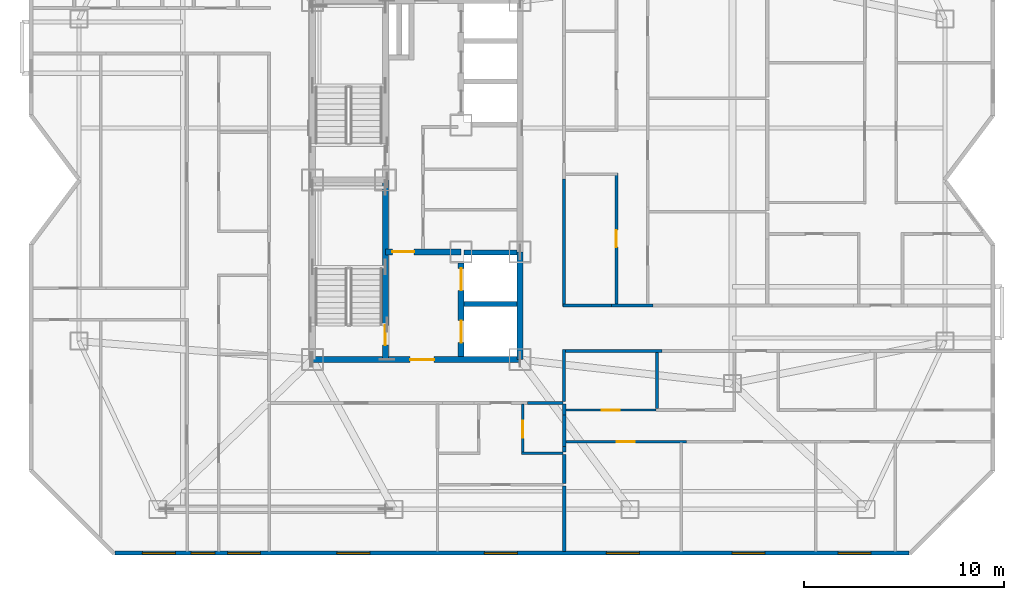
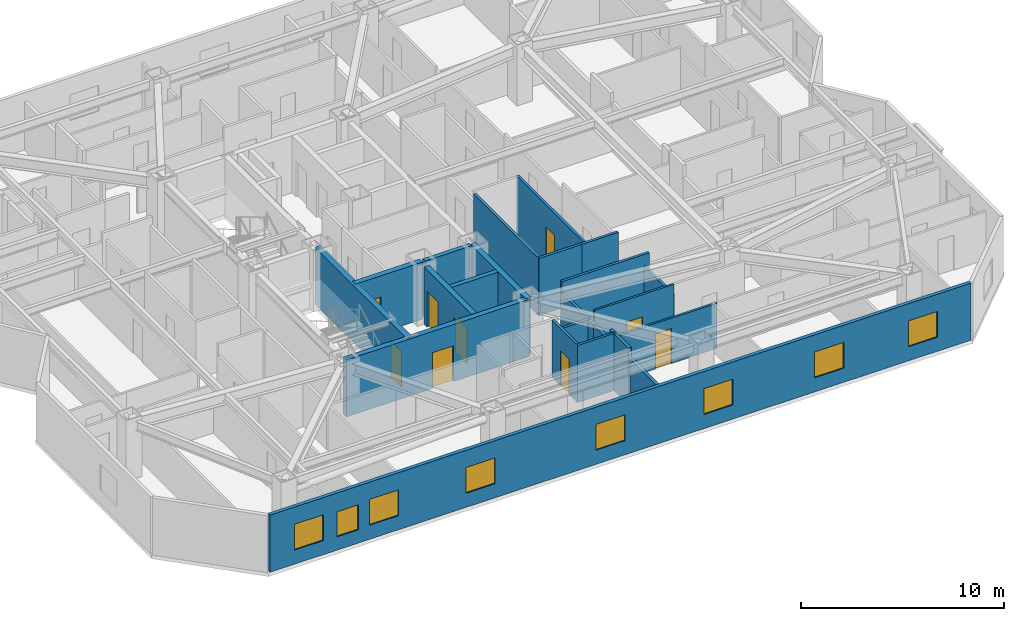
# One storey, part 6 of 12: 25 walls, 9 doors, 8 windows, 17 openings.
"""IFC4 building model written with IfcOpenShell, lengths in metres."""

from ifc_helpers import new_model, si_unit, direction, frame, frame_2d, origin, place, context, subcontext, project, spatial, rectangle, extrude, material, layer, layer_set, type_object, element, fill, save


model = new_model("IFC4")

# Units and contexts
model_context = context("Model", 3, precision=1e-05, world=origin(), true_north=direction((0.0, 1.0)))
body_context = subcontext(model_context, "Body", "Model", "MODEL_VIEW")
ifc_project = project(units=[si_unit("LENGTHUNIT", "METRE"), si_unit("AREAUNIT", "SQUARE_METRE"), si_unit("VOLUMEUNIT", "CUBIC_METRE"), si_unit("PLANEANGLEUNIT", "RADIAN"), si_unit("MASSUNIT", "GRAM", prefix="KILO")], contexts=[model_context])

# Site, building, storey
site_placement = place(None, origin())
site = spatial("IfcSite", under=ifc_project, at=site_placement, CompositionType="ELEMENT")
building_placement = place(site_placement, origin())
building = spatial("IfcBuilding", under=site, at=building_placement, Name="Khamvora Tower", CompositionType="ELEMENT")
storey_placement = place(building_placement, frame((0.0, 0.0, 188.75)))
storey = spatial("IfcBuildingStorey", under=building, at=storey_placement, Name="L48", CompositionType="ELEMENT", Elevation=188.75)

# Wall, opening, door
ifc_material_1 = material(Name="Concrete C50/60", Category="concrete")
ifc_layer_1 = layer(ifc_material_1, 0.300048828125)
ifc_layer_set_1 = layer_set([ifc_layer_1], Name="Concrete C50/60")
wall_type_1 = type_object("IfcWallType", Name="WAL-CORE-300", PredefinedType="SHEAR", material=ifc_layer_set_1)
wall_1_placement = place(storey_placement, frame((29.0, 19.0, 0.0), z_axis=(0.0, 0.0, 1.0), x_axis=(1.0, 0.0, 0.0)))
wall_1 = element("IfcWall", 1, at=wall_1_placement, inside=storey, type_object=wall_type_1, Name="L48 central core south wall", PredefinedType="SHEAR", context=body_context, shape_type="SweptSolid", body=[
    extrude(rectangle(XDim=10.39990234375, YDim=0.300048828125, at=frame_2d((5.199951171875, 0.0))), origin(), (0.0, 0.0, 1.0), 3.429931640625),
])
opening_1_placement = place(wall_1_placement, frame((4.89990234375, 0.0, 0.0)))
opening_1 = element("IfcOpeningElement", 2, at=opening_1_placement, cuts=wall_1, Name="Opening D-CR1", PredefinedType="OPENING", context=body_context, shape_type="SweptSolid", body=[
    extrude(rectangle(XDim=1.199951171875, YDim=2.14990234375, at=frame_2d((0.60009765625, 1.074951171875))), frame((0.0, 0.159912109375, 0.0), z_axis=(0.0, -1.0, 0.0), x_axis=(1.0, 0.0, 0.0)), (0.0, 0.0, 1.0), 0.320068359375),
])
ifc_material_2 = material(Name="Powder-Coated Steel and Hardwood Leaf", Category="steel")
door_type_1 = type_object("IfcDoorType", Name="DOR-CORR-1200", OperationType="NOTDEFINED", PredefinedType="DOOR", material=ifc_material_2)
door_1_placement = place(opening_1_placement, origin())
door_1 = element("IfcDoor", 3, at=door_1_placement, inside=storey, type_object=door_type_1, Name="L48 south core lobby to corridor fire door", OperationType="SINGLE_SWING_LEFT", OverallHeight=2.14990234375, OverallWidth=1.199951171875, PredefinedType="DOOR", context=body_context, shape_type="SweptSolid", body=[
    extrude(rectangle(XDim=1.199951171875, YDim=2.14990234375, at=frame_2d((0.60009765625, 1.074951171875))), frame((0.0, 0.02490234375, 0.0), z_axis=(0.0, -1.0, 0.0), x_axis=(1.0, 0.0, 0.0)), (0.0, 0.0, 1.0), 0.050048828125),
])
fill(opening_1, door_1)

# Wall
wall_2_placement = place(storey_placement, frame((39.39990234375, 19.0, 0.0), z_axis=(0.0, 0.0, 1.0), x_axis=(0.0, 1.0, 0.0)))
element("IfcWall", 4, at=wall_2_placement, inside=storey, type_object=wall_type_1, Name="L48 central core east south wall", PredefinedType="SHEAR", context=body_context, shape_type="SweptSolid", body=[
    extrude(rectangle(XDim=5.39990234375, YDim=0.300048828125, at=frame_2d((2.699951171875, 0.0))), origin(), (0.0, 0.0, 1.0), 3.429931640625),
])

# Wall, opening, door
wall_3_placement = place(storey_placement, frame((32.64990234375, 19.0, 0.0), z_axis=(0.0, 0.0, 1.0), x_axis=(0.0, 1.0, 0.0)))
wall_3 = element("IfcWall", 5, at=wall_3_placement, inside=storey, type_object=wall_type_1, Name="L48 central core stair south spine wall", PredefinedType="SHEAR", context=body_context, shape_type="SweptSolid", body=[
    extrude(rectangle(XDim=9.0, YDim=0.300048828125, at=frame_2d((4.5, 0.0))), origin(), (0.0, 0.0, 1.0), 3.429931640625),
])
opening_2_placement = place(wall_3_placement, frame((0.719970703125, 0.0, 0.0)))
opening_2 = element("IfcOpeningElement", 6, at=opening_2_placement, cuts=wall_3, Name="Opening D-ST1", PredefinedType="OPENING", context=body_context, shape_type="SweptSolid", body=[
    extrude(rectangle(XDim=1.0, YDim=2.14990234375, at=frame_2d((0.5, 1.074951171875))), frame((0.0, 0.159912109375, 0.0), z_axis=(0.0, -1.0, 0.0), x_axis=(1.0, 0.0, 0.0)), (0.0, 0.0, 1.0), 0.320068359375),
])
door_type_2 = type_object("IfcDoorType", Name="DOR-STAIR-1000", OperationType="NOTDEFINED", PredefinedType="DOOR", material=ifc_material_2)
door_2_placement = place(opening_2_placement, origin())
door_2 = element("IfcDoor", 7, at=door_2_placement, inside=storey, type_object=door_type_2, Name="L48 exit stair ST-01 fire door", OperationType="SINGLE_SWING_RIGHT", OverallHeight=2.14990234375, OverallWidth=1.0, PredefinedType="DOOR", context=body_context, shape_type="SweptSolid", body=[
    extrude(rectangle(XDim=1.0, YDim=2.14990234375, at=frame_2d((0.5, 1.074951171875))), frame((0.0, 0.02490234375, 0.0), z_axis=(0.0, -1.0, 0.0), x_axis=(1.0, 0.0, 0.0)), (0.0, 0.0, 1.0), 0.050048828125),
])
fill(opening_2, door_2)

wall_4_placement = place(storey_placement, frame((32.64990234375, 24.39990234375, 0.0), z_axis=(0.0, 0.0, 1.0), x_axis=(1.0, 0.0, 0.0)))
wall_4 = element("IfcWall", 8, at=wall_4_placement, inside=storey, type_object=wall_type_1, Name="L48 central core firefighting lobby north wall", PredefinedType="SHEAR", context=body_context, shape_type="SweptSolid", body=[
    extrude(rectangle(XDim=3.800048828125, YDim=0.300048828125, at=frame_2d((1.89990234375, 0.0))), origin(), (0.0, 0.0, 1.0), 3.429931640625),
])
opening_3_placement = place(wall_4_placement, frame((0.35009765625, 0.0, 0.0)))
opening_3 = element("IfcOpeningElement", 9, at=opening_3_placement, cuts=wall_4, Name="Opening D-FF1", PredefinedType="OPENING", context=body_context, shape_type="SweptSolid", body=[
    extrude(rectangle(XDim=1.10009765625, YDim=2.14990234375, at=frame_2d((0.550048828125, 1.074951171875))), frame((0.0, 0.159912109375, 0.0), z_axis=(0.0, -1.0, 0.0), x_axis=(1.0, 0.0, 0.0)), (0.0, 0.0, 1.0), 0.320068359375),
])
door_type_3 = type_object("IfcDoorType", Name="DOR-FFLOB-1100", OperationType="NOTDEFINED", PredefinedType="DOOR", material=ifc_material_2)
door_3_placement = place(opening_3_placement, origin())
door_3 = element("IfcDoor", 10, at=door_3_placement, inside=storey, type_object=door_type_3, Name="L48 firefighting lobby smoke-seal fire door", OperationType="SINGLE_SWING_RIGHT", OverallHeight=2.14990234375, OverallWidth=1.10009765625, PredefinedType="DOOR", context=body_context, shape_type="SweptSolid", body=[
    extrude(rectangle(XDim=1.10009765625, YDim=2.14990234375, at=frame_2d((0.550048828125, 1.074951171875))), frame((0.0, 0.02490234375, 0.0), z_axis=(0.0, -1.0, 0.0), x_axis=(1.0, 0.0, 0.0)), (0.0, 0.0, 1.0), 0.050048828125),
])
fill(opening_3, door_3)

# Wall, openings, doors
wall_5_placement = place(storey_placement, frame((36.449951171875, 19.154052734375, 0.0), z_axis=(0.0, 0.0, 1.0), x_axis=(0.0, 1.0, 0.0)))
wall_5 = element("IfcWall", 11, at=wall_5_placement, inside=storey, type_object=wall_type_1, Name="L48 central core lift bank south wall", PredefinedType="SHEAR", context=body_context, shape_type="SweptSolid", body=[
    extrude(rectangle(XDim=4.696044921875, YDim=0.300048828125, at=frame_2d((2.34814453125, 0.0))), origin(), (0.0, 0.0, 1.0), 3.429931640625),
])
opening_4_placement = place(wall_5_placement, frame((0.696044921875, 0.0, 0.0)))
opening_4 = element("IfcOpeningElement", 12, at=opening_4_placement, cuts=wall_5, Name="Opening LD-FFL", PredefinedType="OPENING", context=body_context, shape_type="SweptSolid", body=[
    extrude(rectangle(XDim=1.10009765625, YDim=2.14990234375, at=frame_2d((0.550048828125, 1.074951171875))), frame((0.0, 0.159912109375, 0.0), z_axis=(0.0, -1.0, 0.0), x_axis=(1.0, 0.0, 0.0)), (0.0, 0.0, 1.0), 0.320068359375),
])
opening_5_placement = place(wall_5_placement, frame((3.31591796875, 0.0, 0.0)))
opening_5 = element("IfcOpeningElement", 13, at=opening_5_placement, cuts=wall_5, Name="Opening LD-FFL", PredefinedType="OPENING", context=body_context, shape_type="SweptSolid", body=[
    extrude(rectangle(XDim=1.10009765625, YDim=2.14990234375, at=frame_2d((0.550048828125, 1.074951171875))), frame((0.0, 0.159912109375, 0.0), z_axis=(0.0, -1.0, 0.0), x_axis=(1.0, 0.0, 0.0)), (0.0, 0.0, 1.0), 0.320068359375),
])
door_type_4 = type_object("IfcDoorType", Name="DOR-LIFT-1100", OperationType="SLIDING_TO_LEFT", PredefinedType="DOOR", material=ifc_material_2)
door_4_placement = place(opening_4_placement, origin())
door_4 = element("IfcDoor", 14, at=door_4_placement, inside=storey, type_object=door_type_4, Name="L48 lift landing sliding door FFL-01", OperationType="SLIDING_TO_LEFT", OverallHeight=2.14990234375, OverallWidth=1.10009765625, PredefinedType="DOOR", context=body_context, shape_type="SweptSolid", body=[
    extrude(rectangle(XDim=1.10009765625, YDim=2.14990234375, at=frame_2d((0.550048828125, 1.074951171875))), frame((0.0, 0.02490234375, 0.0), z_axis=(0.0, -1.0, 0.0), x_axis=(1.0, 0.0, 0.0)), (0.0, 0.0, 1.0), 0.050048828125),
])
fill(opening_4, door_4)
door_5_placement = place(opening_5_placement, origin())
door_5 = element("IfcDoor", 15, at=door_5_placement, inside=storey, type_object=door_type_4, Name="L48 lift landing sliding door FFL-02", OperationType="SLIDING_TO_LEFT", OverallHeight=2.14990234375, OverallWidth=1.10009765625, PredefinedType="DOOR", context=body_context, shape_type="SweptSolid", body=[
    extrude(rectangle(XDim=1.10009765625, YDim=2.14990234375, at=frame_2d((0.550048828125, 1.074951171875))), frame((0.0, 0.02490234375, 0.0), z_axis=(0.0, -1.0, 0.0), x_axis=(1.0, 0.0, 0.0)), (0.0, 0.0, 1.0), 0.050048828125),
])
fill(opening_5, door_5)

# Walls
ifc_material_3 = material(Name="Fire-Rated Drywall and Steel Stud", Category="steel")
ifc_layer_2 = layer(ifc_material_3, 0.14990234375)
ifc_layer_set_2 = layer_set([ifc_layer_2], Name="Fire-Rated Drywall and Steel Stud")
wall_type_2 = type_object("IfcWallType", Name="WAL-CORR-150", PredefinedType="STANDARD", material=ifc_layer_set_2)
wall_6_placement = place(storey_placement, frame((41.550048828125, 16.8349609375, 0.0), z_axis=(0.0, 0.0, 1.0), x_axis=(-1.0, 0.0, 0.0)))
element("IfcWall", 16, at=wall_6_placement, inside=storey, type_object=wall_type_2, Name="L48 interior partition wall 024", PredefinedType="STANDARD", context=body_context, shape_type="SweptSolid", body=[
    extrude(rectangle(XDim=1.760986328125, YDim=0.14990234375, at=frame_2d((0.88037109375, 0.0))), origin(), (0.0, 0.0, 1.0), 2.72509765625),
])
wall_7_placement = place(storey_placement, frame((46.51904296875, 19.43505859375, 0.0), z_axis=(0.0, 0.0, 1.0), x_axis=(-1.0, 0.0, 0.0)))
element("IfcWall", 17, at=wall_7_placement, inside=storey, type_object=wall_type_2, Name="L48 interior partition wall 028", PredefinedType="STANDARD", context=body_context, shape_type="SweptSolid", body=[
    extrude(rectangle(XDim=4.968994140625, YDim=0.14990234375, at=frame_2d((2.484375, 0.0))), origin(), (0.0, 0.0, 1.0), 3.429931640625),
])
wall_8_placement = place(storey_placement, frame((41.614990234375, 19.5, 0.0), z_axis=(0.0, 0.0, 1.0), x_axis=(0.0, -1.0, 0.0)))
element("IfcWall", 18, at=wall_8_placement, inside=storey, type_object=wall_type_2, Name="L48 interior partition wall 029", PredefinedType="STANDARD", context=body_context, shape_type="SweptSolid", body=[
    extrude(rectangle(XDim=2.60009765625, YDim=0.14990234375, at=frame_2d((1.300048828125, 0.0))), origin(), (0.0, 0.0, 1.0), 2.72509765625),
])
wall_9_placement = place(storey_placement, frame((43.98291015625, 21.715087890625, 0.0), z_axis=(0.0, 0.0, 1.0), x_axis=(1.0, 0.0, 0.0)))
element("IfcWall", 19, at=wall_9_placement, inside=storey, type_object=wall_type_2, Name="L48 interior partition wall 036", PredefinedType="STANDARD", context=body_context, shape_type="SweptSolid", body=[
    extrude(rectangle(XDim=2.078125, YDim=0.14990234375, at=frame_2d((1.0390625, 0.0))), origin(), (0.0, 0.0, 1.0), 3.429931640625),
])
wall_10_placement = place(storey_placement, frame((41.614990234375, 28.0419921875, 0.0), z_axis=(0.0, 0.0, 1.0), x_axis=(0.0, -1.0, 0.0)))
element("IfcWall", 20, at=wall_10_placement, inside=storey, type_object=wall_type_2, Name="L48 interior partition wall 038", PredefinedType="STANDARD", context=body_context, shape_type="SweptSolid", body=[
    extrude(rectangle(XDim=6.39208984375, YDim=0.14990234375, at=frame_2d((3.196044921875, 0.0))), origin(), (0.0, 0.0, 1.0), 3.429931640625),
])
wall_11_placement = place(storey_placement, frame((41.550048828125, 21.715087890625, 0.0), z_axis=(0.0, 0.0, 1.0), x_axis=(1.0, 0.0, 0.0)))
element("IfcWall", 21, at=wall_11_placement, inside=storey, type_object=wall_type_2, Name="L48 interior partition wall 039", PredefinedType="STANDARD", context=body_context, shape_type="SweptSolid", body=[
    extrude(rectangle(XDim=2.432861328125, YDim=0.14990234375, at=frame_2d((1.21630859375, 0.0))), origin(), (0.0, 0.0, 1.0), 3.429931640625),
])
ifc_material_4 = material(Name="Acoustic Double-Stud Fire Wall", Category="gypsum")
ifc_layer_3 = layer(ifc_material_4, 0.179931640625)
ifc_layer_set_3 = layer_set([ifc_layer_3], Name="Acoustic Double-Stud Fire Wall")
wall_type_3 = type_object("IfcWallType", Name="WAL-CORR-180", PredefinedType="STANDARD", material=ifc_layer_set_3)
wall_12_placement = place(storey_placement, frame((41.614990234375, 14.239990234375, 0.0), z_axis=(0.0, 0.0, 1.0), x_axis=(0.0, -1.0, 0.0)))
element("IfcWall", 22, at=wall_12_placement, inside=storey, type_object=wall_type_3, Name="L48 interior partition wall 088", PredefinedType="STANDARD", context=body_context, shape_type="SweptSolid", body=[
    extrude(rectangle(XDim=1.449951171875, YDim=0.179931640625, at=frame_2d((0.72509765625, 0.0))), origin(), (0.0, 0.0, 1.0), 3.429931640625),
])
wall_13_placement = place(storey_placement, frame((41.614990234375, 16.77001953125, 0.0), z_axis=(0.0, 0.0, 1.0), x_axis=(0.0, -1.0, 0.0)))
element("IfcWall", 23, at=wall_13_placement, inside=storey, type_object=wall_type_3, Name="L48 interior partition wall 089", PredefinedType="STANDARD", context=body_context, shape_type="SweptSolid", body=[
    extrude(rectangle(XDim=0.544921875, YDim=0.179931640625, at=frame_2d((0.2724609375, 0.0))), origin(), (0.0, 0.0, 1.0), 2.72509765625),
])
wall_14_placement = place(storey_placement, frame((41.614990234375, 16.22509765625, 0.0), z_axis=(0.0, 0.0, 1.0), x_axis=(0.0, -1.0, 0.0)))
element("IfcWall", 24, at=wall_14_placement, inside=storey, type_object=wall_type_3, Name="L48 interior partition wall 090", PredefinedType="STANDARD", context=body_context, shape_type="SweptSolid", body=[
    extrude(rectangle(XDim=1.580078125, YDim=0.179931640625, at=frame_2d((0.7900390625, 0.0))), origin(), (0.0, 0.0, 1.0), 2.72509765625),
])
wall_15_placement = place(storey_placement, frame((41.614990234375, 14.64501953125, 0.0), z_axis=(0.0, 0.0, 1.0), x_axis=(0.0, -1.0, 0.0)))
element("IfcWall", 25, at=wall_15_placement, inside=storey, type_object=wall_type_3, Name="L48 interior partition wall 091", PredefinedType="STANDARD", context=body_context, shape_type="SweptSolid", body=[
    extrude(rectangle(XDim=0.27490234375, YDim=0.179931640625, at=frame_2d((0.137451171875, 0.0))), origin(), (0.0, 0.0, 1.0), 3.429931640625),
])
wall_16_placement = place(storey_placement, frame((41.614990234375, 12.659912109375, 0.0), z_axis=(0.0, 0.0, 1.0), x_axis=(0.0, -1.0, 0.0)))
element("IfcWall", 26, at=wall_16_placement, inside=storey, type_object=wall_type_3, Name="L48 interior partition wall 092", PredefinedType="STANDARD", context=body_context, shape_type="SweptSolid", body=[
    extrude(rectangle(XDim=3.267822265625, YDim=0.179931640625, at=frame_2d((1.6337890625, 0.0))), origin(), (0.0, 0.0, 1.0), 2.8759765625),
])

# Wall, openings, windows
ifc_material_5 = material(Name="Precast concrete C40/50", Category="concrete")
ifc_layer_4 = layer(ifc_material_5, 0.199951171875)
ifc_layer_set_4 = layer_set([ifc_layer_4], Name="Precast concrete C40/50")
wall_type_4 = type_object("IfcWallType", Name="WAL-EXT-200", PredefinedType="STANDARD", material=ifc_layer_set_4)
wall_17_placement = place(storey_placement, frame((58.89599609375, 9.300048828125, 0.0), z_axis=(0.0, 0.0, 1.0), x_axis=(-1.0, 0.0, 0.0)))
wall_17 = element("IfcWall", 27, at=wall_17_placement, inside=storey, type_object=wall_type_4, Name="L48 exterior facade wall 14.1", PredefinedType="STANDARD", context=body_context, shape_type="SweptSolid", body=[
    extrude(rectangle(XDim=39.79296875, YDim=0.199951171875, at=frame_2d((19.896484375, 0.0))), origin(), (0.0, 0.0, 1.0), 3.429931640625),
])
opening_6_placement = place(wall_17_placement, frame((27.02099609375, 0.0, 0.85009765625)))
opening_6 = element("IfcOpeningElement", 28, at=opening_6_placement, cuts=wall_17, Name="Opening WN-06", PredefinedType="OPENING", context=body_context, shape_type="SweptSolid", body=[
    extrude(rectangle(XDim=1.64990234375, YDim=1.550048828125, at=frame_2d((0.824951171875, 0.77490234375))), frame((0.0, 0.10986328125, 0.0), z_axis=(0.0, -1.0, 0.0), x_axis=(1.0, 0.0, 0.0)), (0.0, 0.0, 1.0), 0.219970703125),
])
opening_7_placement = place(wall_17_placement, frame((32.5009765625, 0.0, 0.85009765625)))
opening_7 = element("IfcOpeningElement", 29, at=opening_7_placement, cuts=wall_17, Name="Opening WN-06", PredefinedType="OPENING", context=body_context, shape_type="SweptSolid", body=[
    extrude(rectangle(XDim=1.64990234375, YDim=1.550048828125, at=frame_2d((0.824951171875, 0.77490234375))), frame((0.0, 0.10986328125, 0.0), z_axis=(0.0, -1.0, 0.0), x_axis=(1.0, 0.0, 0.0)), (0.0, 0.0, 1.0), 0.219970703125),
])
opening_8_placement = place(wall_17_placement, frame((34.781005859375, 0.0, 0.800048828125)))
opening_8 = element("IfcOpeningElement", 30, at=opening_8_placement, cuts=wall_17, Name="Opening WN-03", PredefinedType="OPENING", context=body_context, shape_type="SweptSolid", body=[
    extrude(rectangle(XDim=1.199951171875, YDim=1.5, at=frame_2d((0.60009765625, 0.75))), frame((0.0, 0.10986328125, 0.0), z_axis=(0.0, -1.0, 0.0), x_axis=(1.0, 0.0, 0.0)), (0.0, 0.0, 1.0), 0.219970703125),
])
opening_9_placement = place(wall_17_placement, frame((36.764892578125, 0.0, 0.85009765625)))
opening_9 = element("IfcOpeningElement", 31, at=opening_9_placement, cuts=wall_17, Name="Opening WN-06", PredefinedType="OPENING", context=body_context, shape_type="SweptSolid", body=[
    extrude(rectangle(XDim=1.64990234375, YDim=1.550048828125, at=frame_2d((0.824951171875, 0.77490234375))), frame((0.0, 0.10986328125, 0.0), z_axis=(0.0, -1.0, 0.0), x_axis=(1.0, 0.0, 0.0)), (0.0, 0.0, 1.0), 0.219970703125),
])
opening_10_placement = place(wall_17_placement, frame((19.631103515625, 0.0, 0.85009765625)))
opening_10 = element("IfcOpeningElement", 32, at=opening_10_placement, cuts=wall_17, Name="Opening WN-06", PredefinedType="OPENING", context=body_context, shape_type="SweptSolid", body=[
    extrude(rectangle(XDim=1.64990234375, YDim=1.550048828125, at=frame_2d((0.824951171875, 0.77490234375))), frame((0.0, 0.10986328125, 0.0), z_axis=(0.0, -1.0, 0.0), x_axis=(1.0, 0.0, 0.0)), (0.0, 0.0, 1.0), 0.219970703125),
])
opening_11_placement = place(wall_17_placement, frame((13.51806640625, 0.0, 0.85009765625)))
opening_11 = element("IfcOpeningElement", 33, at=opening_11_placement, cuts=wall_17, Name="Opening WN-06", PredefinedType="OPENING", context=body_context, shape_type="SweptSolid", body=[
    extrude(rectangle(XDim=1.64990234375, YDim=1.550048828125, at=frame_2d((0.824951171875, 0.77490234375))), frame((0.0, 0.10986328125, 0.0), z_axis=(0.0, -1.0, 0.0), x_axis=(1.0, 0.0, 0.0)), (0.0, 0.0, 1.0), 0.219970703125),
])
opening_12_placement = place(wall_17_placement, frame((7.218017578125, 0.0, 0.85009765625)))
opening_12 = element("IfcOpeningElement", 34, at=opening_12_placement, cuts=wall_17, Name="Opening WN-06", PredefinedType="OPENING", context=body_context, shape_type="SweptSolid", body=[
    extrude(rectangle(XDim=1.64990234375, YDim=1.550048828125, at=frame_2d((0.824951171875, 0.77490234375))), frame((0.0, 0.10986328125, 0.0), z_axis=(0.0, -1.0, 0.0), x_axis=(1.0, 0.0, 0.0)), (0.0, 0.0, 1.0), 0.219970703125),
])
opening_13_placement = place(wall_17_placement, frame((1.906982421875, 0.0, 0.85009765625)))
opening_13 = element("IfcOpeningElement", 35, at=opening_13_placement, cuts=wall_17, Name="Opening WN-06", PredefinedType="OPENING", context=body_context, shape_type="SweptSolid", body=[
    extrude(rectangle(XDim=1.64990234375, YDim=1.550048828125, at=frame_2d((0.824951171875, 0.77490234375))), frame((0.0, 0.10986328125, 0.0), z_axis=(0.0, -1.0, 0.0), x_axis=(1.0, 0.0, 0.0)), (0.0, 0.0, 1.0), 0.219970703125),
])
ifc_material_6 = material(Name="Low-E Laminated Double Glazing", Category="glass")
window_type_1 = type_object("IfcWindowType", Name="WIN-VIS-1200x1500", PartitioningType="SINGLE_PANEL", PredefinedType="WINDOW", material=ifc_material_6)
window_1_placement = place(opening_8_placement, origin())
window_1 = element("IfcWindow", 36, at=window_1_placement, inside=storey, type_object=window_type_1, Name="L48 vision window 14.1.03", OverallHeight=1.5, OverallWidth=1.199951171875, PartitioningType="SINGLE_PANEL", PredefinedType="WINDOW", context=body_context, shape_type="SweptSolid", body=[
    extrude(rectangle(XDim=1.199951171875, YDim=1.5, at=frame_2d((0.60009765625, 0.75))), frame((0.0, 0.030029296875, 0.0), z_axis=(0.0, -1.0, 0.0), x_axis=(1.0, 0.0, 0.0)), (0.0, 0.0, 1.0), 0.06005859375),
])
fill(opening_8, window_1)
window_type_2 = type_object("IfcWindowType", Name="WIN-VIS-1650x1550", PartitioningType="SINGLE_PANEL", PredefinedType="WINDOW", material=ifc_material_6)
window_2_placement = place(opening_6_placement, origin())
window_2 = element("IfcWindow", 37, at=window_2_placement, inside=storey, type_object=window_type_2, Name="L48 vision window 14.1.01", OverallHeight=1.550048828125, OverallWidth=1.64990234375, PartitioningType="SINGLE_PANEL", PredefinedType="WINDOW", context=body_context, shape_type="SweptSolid", body=[
    extrude(rectangle(XDim=1.64990234375, YDim=1.550048828125, at=frame_2d((0.824951171875, 0.77490234375))), frame((0.0, 0.030029296875, 0.0), z_axis=(0.0, -1.0, 0.0), x_axis=(1.0, 0.0, 0.0)), (0.0, 0.0, 1.0), 0.06005859375),
])
fill(opening_6, window_2)
window_3_placement = place(opening_7_placement, origin())
window_3 = element("IfcWindow", 38, at=window_3_placement, inside=storey, type_object=window_type_2, Name="L48 vision window 14.1.02", OverallHeight=1.550048828125, OverallWidth=1.64990234375, PartitioningType="SINGLE_PANEL", PredefinedType="WINDOW", context=body_context, shape_type="SweptSolid", body=[
    extrude(rectangle(XDim=1.64990234375, YDim=1.550048828125, at=frame_2d((0.824951171875, 0.77490234375))), frame((0.0, 0.030029296875, 0.0), z_axis=(0.0, -1.0, 0.0), x_axis=(1.0, 0.0, 0.0)), (0.0, 0.0, 1.0), 0.06005859375),
])
fill(opening_7, window_3)
window_4_placement = place(opening_9_placement, origin())
window_4 = element("IfcWindow", 39, at=window_4_placement, inside=storey, type_object=window_type_2, Name="L48 vision window 14.1.04", OverallHeight=1.550048828125, OverallWidth=1.64990234375, PartitioningType="SINGLE_PANEL", PredefinedType="WINDOW", context=body_context, shape_type="SweptSolid", body=[
    extrude(rectangle(XDim=1.64990234375, YDim=1.550048828125, at=frame_2d((0.824951171875, 0.77490234375))), frame((0.0, 0.030029296875, 0.0), z_axis=(0.0, -1.0, 0.0), x_axis=(1.0, 0.0, 0.0)), (0.0, 0.0, 1.0), 0.06005859375),
])
fill(opening_9, window_4)
window_5_placement = place(opening_10_placement, origin())
window_5 = element("IfcWindow", 40, at=window_5_placement, inside=storey, type_object=window_type_2, Name="L48 vision window 14.1.05", OverallHeight=1.550048828125, OverallWidth=1.64990234375, PartitioningType="SINGLE_PANEL", PredefinedType="WINDOW", context=body_context, shape_type="SweptSolid", body=[
    extrude(rectangle(XDim=1.64990234375, YDim=1.550048828125, at=frame_2d((0.824951171875, 0.77490234375))), frame((0.0, 0.030029296875, 0.0), z_axis=(0.0, -1.0, 0.0), x_axis=(1.0, 0.0, 0.0)), (0.0, 0.0, 1.0), 0.06005859375),
])
fill(opening_10, window_5)
window_6_placement = place(opening_11_placement, origin())
window_6 = element("IfcWindow", 41, at=window_6_placement, inside=storey, type_object=window_type_2, Name="L48 vision window 14.1.06", OverallHeight=1.550048828125, OverallWidth=1.64990234375, PartitioningType="SINGLE_PANEL", PredefinedType="WINDOW", context=body_context, shape_type="SweptSolid", body=[
    extrude(rectangle(XDim=1.64990234375, YDim=1.550048828125, at=frame_2d((0.824951171875, 0.77490234375))), frame((0.0, 0.030029296875, 0.0), z_axis=(0.0, -1.0, 0.0), x_axis=(1.0, 0.0, 0.0)), (0.0, 0.0, 1.0), 0.06005859375),
])
fill(opening_11, window_6)
window_7_placement = place(opening_12_placement, origin())
window_7 = element("IfcWindow", 42, at=window_7_placement, inside=storey, type_object=window_type_2, Name="L48 vision window 14.1.07", OverallHeight=1.550048828125, OverallWidth=1.64990234375, PartitioningType="SINGLE_PANEL", PredefinedType="WINDOW", context=body_context, shape_type="SweptSolid", body=[
    extrude(rectangle(XDim=1.64990234375, YDim=1.550048828125, at=frame_2d((0.824951171875, 0.77490234375))), frame((0.0, 0.030029296875, 0.0), z_axis=(0.0, -1.0, 0.0), x_axis=(1.0, 0.0, 0.0)), (0.0, 0.0, 1.0), 0.06005859375),
])
fill(opening_12, window_7)
window_8_placement = place(opening_13_placement, origin())
window_8 = element("IfcWindow", 43, at=window_8_placement, inside=storey, type_object=window_type_2, Name="L48 vision window 14.1.08", OverallHeight=1.550048828125, OverallWidth=1.64990234375, PartitioningType="SINGLE_PANEL", PredefinedType="WINDOW", context=body_context, shape_type="SweptSolid", body=[
    extrude(rectangle(XDim=1.64990234375, YDim=1.550048828125, at=frame_2d((0.824951171875, 0.77490234375))), frame((0.0, 0.030029296875, 0.0), z_axis=(0.0, -1.0, 0.0), x_axis=(1.0, 0.0, 0.0)), (0.0, 0.0, 1.0), 0.06005859375),
])
fill(opening_13, window_8)

# Wall, opening, door
ifc_material_7 = material(Name="Gypsum Plasterboard Partition", Category="gypsum")
ifc_layer_5 = layer(ifc_material_7, 0.1201171875)
ifc_layer_set_5 = layer_set([ifc_layer_5], Name="Gypsum Plasterboard Partition")
wall_type_5 = type_object("IfcWallType", Name="WAL-PART-120", PredefinedType="PARTITIONING", material=ifc_layer_set_5)
wall_18_placement = place(storey_placement, frame((46.205078125, 16.47412109375, 0.0), z_axis=(0.0, 0.0, 1.0), x_axis=(-1.0, 0.0, 0.0)))
wall_18 = element("IfcWall", 44, at=wall_18_placement, inside=storey, type_object=wall_type_5, Name="L48 interior partition wall 103", PredefinedType="PARTITIONING", context=body_context, shape_type="SweptSolid", body=[
    extrude(rectangle(XDim=4.508056640625, YDim=0.1201171875, at=frame_2d((2.25390625, 0.0))), origin(), (0.0, 0.0, 1.0), 3.429931640625),
])
opening_14_placement = place(wall_18_placement, frame((1.803955078125, 0.0, 0.0)))
opening_14 = element("IfcOpeningElement", 45, at=opening_14_placement, cuts=wall_18, Name="Opening D-RM1", PredefinedType="OPENING", context=body_context, shape_type="SweptSolid", body=[
    extrude(rectangle(XDim=0.89990234375, YDim=2.10009765625, at=frame_2d((0.449951171875, 1.050048828125))), frame((0.0, 0.070068359375, 0.0), z_axis=(0.0, -1.0, 0.0), x_axis=(1.0, 0.0, 0.0)), (0.0, 0.0, 1.0), 0.14013671875),
])
door_type_5 = type_object("IfcDoorType", Name="DOR-ROOM-900", OperationType="NOTDEFINED", PredefinedType="DOOR", material=ifc_material_2)
door_6_placement = place(opening_14_placement, origin())
door_6 = element("IfcDoor", 46, at=door_6_placement, inside=storey, type_object=door_type_5, Name="L48 interior door 48EAW1-48EAH", OperationType="SINGLE_SWING_RIGHT", OverallHeight=2.10009765625, OverallWidth=0.89990234375, PredefinedType="DOOR", context=body_context, shape_type="SweptSolid", body=[
    extrude(rectangle(XDim=0.89990234375, YDim=2.10009765625, at=frame_2d((0.449951171875, 1.050048828125))), frame((0.0, 0.02490234375, 0.0), z_axis=(0.0, -1.0, 0.0), x_axis=(1.0, 0.0, 0.0)), (0.0, 0.0, 1.0), 0.050048828125),
])
fill(opening_14, door_6)

wall_19_placement = place(storey_placement, frame((47.739013671875, 14.89404296875, 0.0), z_axis=(0.0, 0.0, 1.0), x_axis=(-1.0, 0.0, 0.0)))
wall_19 = element("IfcWall", 47, at=wall_19_placement, inside=storey, type_object=wall_type_5, Name="L48 interior partition wall 111", PredefinedType="PARTITIONING", context=body_context, shape_type="SweptSolid", body=[
    extrude(rectangle(XDim=6.0419921875, YDim=0.1201171875, at=frame_2d((3.02099609375, 0.0))), origin(), (0.0, 0.0, 1.0), 2.72509765625),
])
opening_15_placement = place(wall_19_placement, frame((2.592041015625, 0.0, 0.0)))
opening_15 = element("IfcOpeningElement", 48, at=opening_15_placement, cuts=wall_19, Name="Opening D-RM1", PredefinedType="OPENING", context=body_context, shape_type="SweptSolid", body=[
    extrude(rectangle(XDim=0.89990234375, YDim=2.10009765625, at=frame_2d((0.449951171875, 1.050048828125))), frame((0.0, 0.070068359375, 0.0), z_axis=(0.0, -1.0, 0.0), x_axis=(1.0, 0.0, 0.0)), (0.0, 0.0, 1.0), 0.14013671875),
])
door_7_placement = place(opening_15_placement, origin())
door_7 = element("IfcDoor", 49, at=door_7_placement, inside=storey, type_object=door_type_5, Name="L48 interior door 48EAH-48EAL", OperationType="SINGLE_SWING_RIGHT", OverallHeight=2.10009765625, OverallWidth=0.89990234375, PredefinedType="DOOR", context=body_context, shape_type="SweptSolid", body=[
    extrude(rectangle(XDim=0.89990234375, YDim=2.10009765625, at=frame_2d((0.449951171875, 1.050048828125))), frame((0.0, 0.02490234375, 0.0), z_axis=(0.0, -1.0, 0.0), x_axis=(1.0, 0.0, 0.0)), (0.0, 0.0, 1.0), 0.050048828125),
])
fill(opening_15, door_7)

# Walls
ifc_material_8 = material(Name="Concrete C40/50", Category="concrete")
ifc_layer_6 = layer(ifc_material_8, 0.25)
ifc_layer_set_6 = layer_set([ifc_layer_6], Name="Concrete C40/50")
wall_type_6 = type_object("IfcWallType", Name="WAL-PODS-250", PredefinedType="SHEAR", material=ifc_layer_set_6)
for number, where, z_axis, x_axis, name in (
    (50, (36.60400390625, 21.77490234375, 0.0), (0.0, 0.0, 1.0), (1.0, 0.0, 0.0), "L48 lift shaft divider wall FFL-01"),
    (51, (36.60400390625, 24.375, 0.0), (0.0, 0.0, 1.0), (1.0, 0.0, 0.0), "L48 lift shaft divider wall FFL-02"),
):
    element("IfcWall", number, at=place(storey_placement, frame(where, z_axis=z_axis, x_axis=x_axis)), inside=storey, type_object=wall_type_6, Name=name, PredefinedType="SHEAR", context=body_context, shape_type="SweptSolid", body=[
        extrude(rectangle(XDim=2.64208984375, YDim=0.25, at=frame_2d((1.321044921875, 0.0))), origin(), (0.0, 0.0, 1.0), 3.429931640625),
    ])

# Wall, opening, door
ifc_material_9 = material(Name="Moisture-Resistant Plasterboard Partition", Category="gypsum")
ifc_layer_7 = layer(ifc_material_9, 0.135009765625)
ifc_layer_set_7 = layer_set([ifc_layer_7], Name="Moisture-Resistant Plasterboard Partition")
wall_type_7 = type_object("IfcWallType", Name="WAL-WET-135", PredefinedType="PARTITIONING", material=ifc_layer_set_7)
wall_20_placement = place(storey_placement, frame((39.5400390625, 16.77001953125, 0.0), z_axis=(0.0, 0.0, 1.0), x_axis=(0.0, -1.0, 0.0)))
wall_20 = element("IfcWall", 52, at=wall_20_placement, inside=storey, type_object=wall_type_7, Name="L48 interior partition wall 085", PredefinedType="PARTITIONING", context=body_context, shape_type="SweptSolid", body=[
    extrude(rectangle(XDim=2.530029296875, YDim=0.135009765625, at=frame_2d((1.26513671875, 0.0))), origin(), (0.0, 0.0, 1.0), 3.429931640625),
])
opening_16_placement = place(wall_20_placement, frame((0.840087890625, 0.0, 0.0)))
opening_16 = element("IfcOpeningElement", 53, at=opening_16_placement, cuts=wall_20, Name="Opening D-RM2", PredefinedType="OPENING", context=body_context, shape_type="SweptSolid", body=[
    extrude(rectangle(XDim=0.85009765625, YDim=2.10009765625, at=frame_2d((0.425048828125, 1.050048828125))), frame((0.0, 0.077392578125, 0.0), z_axis=(0.0, -1.0, 0.0), x_axis=(1.0, 0.0, 0.0)), (0.0, 0.0, 1.0), 0.155029296875),
])
door_type_6 = type_object("IfcDoorType", Name="DOR-ROOM-850", OperationType="NOTDEFINED", PredefinedType="DOOR", material=ifc_material_2)
door_8_placement = place(opening_16_placement, origin())
door_8 = element("IfcDoor", 54, at=door_8_placement, inside=storey, type_object=door_type_6, Name="L48 interior door 48SAH-48SAK", OperationType="SINGLE_SWING_RIGHT", OverallHeight=2.10009765625, OverallWidth=0.85009765625, PredefinedType="DOOR", context=body_context, shape_type="SweptSolid", body=[
    extrude(rectangle(XDim=0.85009765625, YDim=2.10009765625, at=frame_2d((0.425048828125, 1.050048828125))), frame((0.0, 0.02490234375, 0.0), z_axis=(0.0, -1.0, 0.0), x_axis=(1.0, 0.0, 0.0)), (0.0, 0.0, 1.0), 0.050048828125),
])
fill(opening_16, door_8)

# Walls
wall_21_placement = place(storey_placement, frame((39.47509765625, 14.304931640625, 0.0), z_axis=(0.0, 0.0, 1.0), x_axis=(1.0, 0.0, 0.0)))
element("IfcWall", 55, at=wall_21_placement, inside=storey, type_object=wall_type_7, Name="L48 interior partition wall 086", PredefinedType="PARTITIONING", context=body_context, shape_type="SweptSolid", body=[
    extrude(rectangle(XDim=2.074951171875, YDim=0.135009765625, at=frame_2d((1.03759765625, 0.0))), origin(), (0.0, 0.0, 1.0), 3.429931640625),
])
wall_22_placement = place(storey_placement, frame((46.27001953125, 19.367919921875, 0.0), z_axis=(0.0, 0.0, 1.0), x_axis=(0.0, -1.0, 0.0)))
element("IfcWall", 56, at=wall_22_placement, inside=storey, type_object=wall_type_7, Name="L48 interior partition wall 104", PredefinedType="PARTITIONING", context=body_context, shape_type="SweptSolid", body=[
    extrude(rectangle(XDim=2.828857421875, YDim=0.135009765625, at=frame_2d((1.41455078125, 0.0))), origin(), (0.0, 0.0, 1.0), 2.72509765625),
])

# Wall, opening, door
wall_23_placement = place(storey_placement, frame((44.23193359375, 21.780029296875, 0.0), z_axis=(0.0, 0.0, 1.0), x_axis=(0.0, 1.0, 0.0)))
wall_23 = element("IfcWall", 57, at=wall_23_placement, inside=storey, type_object=wall_type_7, Name="L48 interior partition wall 122", PredefinedType="PARTITIONING", context=body_context, shape_type="SweptSolid", body=[
    extrude(rectangle(XDim=6.575927734375, YDim=0.135009765625, at=frame_2d((3.2880859375, 0.0))), origin(), (0.0, 0.0, 1.0), 3.429931640625),
])
opening_17_placement = place(wall_23_placement, frame((2.863037109375, 0.0, 0.0)))
opening_17 = element("IfcOpeningElement", 58, at=opening_17_placement, cuts=wall_23, Name="Opening D-RM2", PredefinedType="OPENING", context=body_context, shape_type="SweptSolid", body=[
    extrude(rectangle(XDim=0.85009765625, YDim=2.10009765625, at=frame_2d((0.425048828125, 1.050048828125))), frame((0.0, 0.077392578125, 0.0), z_axis=(0.0, -1.0, 0.0), x_axis=(1.0, 0.0, 0.0)), (0.0, 0.0, 1.0), 0.155029296875),
])
door_9_placement = place(opening_17_placement, origin())
door_9 = element("IfcDoor", 59, at=door_9_placement, inside=storey, type_object=door_type_6, Name="L48 interior door 48EBH-48EBK", OperationType="SINGLE_SWING_RIGHT", OverallHeight=2.10009765625, OverallWidth=0.85009765625, PredefinedType="DOOR", context=body_context, shape_type="SweptSolid", body=[
    extrude(rectangle(XDim=0.85009765625, YDim=2.10009765625, at=frame_2d((0.425048828125, 1.050048828125))), frame((0.0, 0.02490234375, 0.0), z_axis=(0.0, -1.0, 0.0), x_axis=(1.0, 0.0, 0.0)), (0.0, 0.0, 1.0), 0.050048828125),
])
fill(opening_17, door_9)

save(model, "model.ifc")
